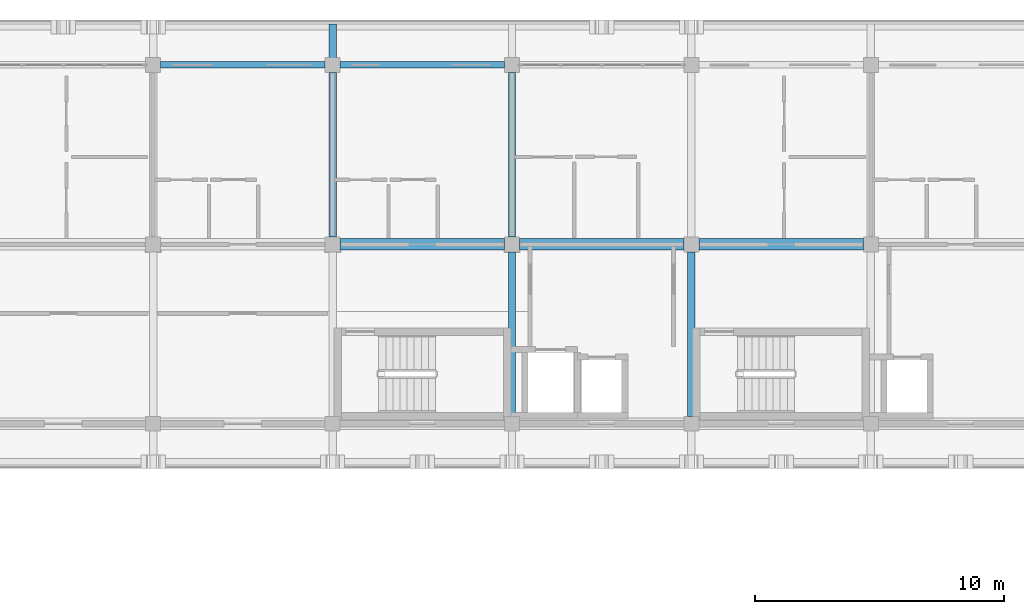
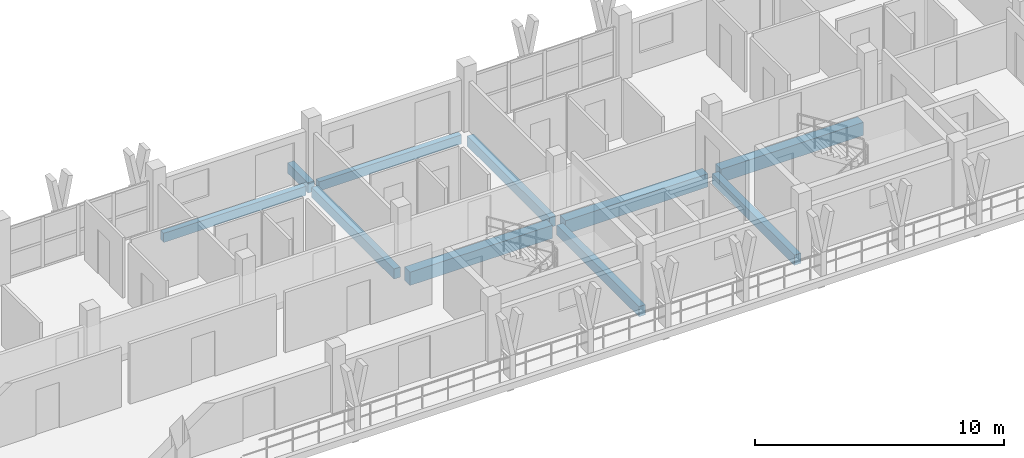
# One storey, part 12 of 65: 10 beams.
"""IFC4 building model written with IfcOpenShell, lengths in metres."""

from ifc_helpers import new_model, si_unit, direction, frame, origin, origin_2d, place, context, subcontext, project, spatial, rectangle, extrude, material, material_profile, profile_set, type_object, element, save


model = new_model("IFC4")

# Units and contexts
model_context = context("Model", 3, precision=1e-05, world=origin(), true_north=direction((0.0, 1.0)))
body_context = subcontext(model_context, "Body", "Model", "MODEL_VIEW")
ifc_project = project(units=[si_unit("LENGTHUNIT", "METRE"), si_unit("AREAUNIT", "SQUARE_METRE"), si_unit("VOLUMEUNIT", "CUBIC_METRE"), si_unit("PLANEANGLEUNIT", "RADIAN"), si_unit("MASSUNIT", "GRAM", prefix="KILO")], contexts=[model_context])

# Site, building, storey
site_placement = place(None, origin())
site = spatial("IfcSite", under=ifc_project, at=site_placement, CompositionType="ELEMENT")
building_placement = place(site_placement, origin())
building = spatial("IfcBuilding", under=site, at=building_placement, Name="Suanplinth Sawtooth Commons", CompositionType="ELEMENT")
storey_placement = place(building_placement, frame((0.0, 0.0, 28.300048828125)))
storey = spatial("IfcBuildingStorey", under=building, at=storey_placement, Name="L08", CompositionType="ELEMENT", Elevation=28.300048828125)

# Beams
ifc_material = material(Name="Precast concrete C40/50", Category="concrete")
ifc_material_profile_1 = material_profile(ifc_material, rectangle(XDim=0.449951171875, YDim=0.64990234375, at=origin_2d()), Name="PC-GDR 450x650")
ifc_profile_set_1 = profile_set([ifc_material_profile_1], Name="Precast concrete C40/50")
beam_type_1 = type_object("IfcBeamType", Name="B-04", PredefinedType="USERDEFINED", material=ifc_profile_set_1)
for number, where, z_axis, x_axis, name in (
    (1, (43.5, 115.199951171875, -0.53515625), (1.0, 0.0, 0.0), (0.0, 1.0, 0.0), "BMX-L08-A-6-16"),
    (2, (50.699951171875, 115.199951171875, -0.53515625), (1.0, 0.0, 0.0), (0.0, 1.0, 0.0), "BMX-L08-A-7-16"),
    (3, (57.89990234375, 115.199951171875, -0.53515625), (1.0, 0.0, 0.0), (0.0, 1.0, 0.0), "BMX-L08-A-8-16"),
):
    element("IfcBeam", number, at=place(storey_placement, frame(where, z_axis=z_axis, x_axis=x_axis)), inside=storey, type_object=beam_type_1, Name=name, ObjectType="GIRDER", PredefinedType="USERDEFINED", context=body_context, shape_type="SweptSolid", body=[
        extrude(rectangle(XDim=0.449951171875, YDim=0.64990234375, at=origin_2d()), origin(), (0.0, 0.0, 1.0), 6.60009765625),
    ])
ifc_material_profile_2 = material_profile(ifc_material, rectangle(XDim=0.300048828125, YDim=0.5, at=origin_2d()), Name="PC-BM 300x500")
ifc_profile_set_2 = profile_set([ifc_material_profile_2], Name="Precast concrete C40/50")
beam_type_2 = type_object("IfcBeamType", Name="B-07", PredefinedType="BEAM", material=ifc_profile_set_2)
beam_1_placement = place(storey_placement, frame((43.199951171875, 115.5, -0.4599609375), z_axis=(0.0, 1.0, 0.0), x_axis=(-1.0, 0.0, 0.0)))
element("IfcBeam", 4, at=beam_1_placement, inside=storey, type_object=beam_type_2, Name="BMY-L08-A-6-16", PredefinedType="BEAM", context=body_context, shape_type="SweptSolid", body=[
    extrude(rectangle(XDim=0.300048828125, YDim=0.5, at=origin_2d()), origin(), (0.0, 0.0, 1.0), 6.60009765625),
])
beam_2_placement = place(storey_placement, frame((50.39990234375, 108.300048828125, -0.4599609375), z_axis=(0.0, 1.0, 0.0), x_axis=(-1.0, 0.0, 0.0)))
element("IfcBeam", 5, at=beam_2_placement, inside=storey, type_object=beam_type_2, Name="BMY-L08-A-7-15", PredefinedType="BEAM", context=body_context, shape_type="SweptSolid", body=[
    extrude(rectangle(XDim=0.300048828125, YDim=0.5, at=origin_2d()), origin(), (0.0, 0.0, 1.0), 6.599853515625),
])
beam_3_placement = place(storey_placement, frame((50.39990234375, 115.5, -0.4599609375), z_axis=(0.0, 1.0, 0.0), x_axis=(-1.0, 0.0, 0.0)))
element("IfcBeam", 6, at=beam_3_placement, inside=storey, type_object=beam_type_2, Name="BMY-L08-A-7-16", PredefinedType="BEAM", context=body_context, shape_type="SweptSolid", body=[
    extrude(rectangle(XDim=0.300048828125, YDim=0.5, at=origin_2d()), origin(), (0.0, 0.0, 1.0), 6.60009765625),
])
beam_4_placement = place(storey_placement, frame((57.60009765625, 108.300048828125, -0.4599609375), z_axis=(0.0, 1.0, 0.0), x_axis=(-1.0, 0.0, 0.0)))
element("IfcBeam", 7, at=beam_4_placement, inside=storey, type_object=beam_type_2, Name="BMY-L08-A-8-15", PredefinedType="BEAM", context=body_context, shape_type="SweptSolid", body=[
    extrude(rectangle(XDim=0.300048828125, YDim=0.5, at=origin_2d()), origin(), (0.0, 0.0, 1.0), 6.599853515625),
])
beam_5_placement = place(storey_placement, frame((43.199951171875, 122.39990234375, -0.429931640625), z_axis=(0.0, 1.0, 0.0), x_axis=(-1.0, 0.0, 0.0)))
element("IfcBeam", 8, at=beam_5_placement, inside=storey, type_object=beam_type_2, Name="Balcony Outrigger L08-A-N-6", PredefinedType="BEAM", context=body_context, shape_type="SweptSolid", body=[
    extrude(rectangle(XDim=0.300048828125, YDim=0.5, at=origin_2d()), origin(), (0.0, 0.0, 1.0), 1.64013671875),
])
ifc_material_profile_3 = material_profile(ifc_material, rectangle(XDim=0.25, YDim=0.449951171875, at=origin_2d()), Name="PC-SP 250x450")
ifc_profile_set_3 = profile_set([ifc_material_profile_3], Name="Precast concrete C40/50")
beam_type_3 = type_object("IfcBeamType", Name="B-09", PredefinedType="SPANDREL", material=ifc_profile_set_3)
beam_6_placement = place(storey_placement, frame((36.300048828125, 122.39990234375, -0.43505859375), z_axis=(1.0, 0.0, 0.0), x_axis=(0.0, 1.0, 0.0)))
element("IfcBeam", 9, at=beam_6_placement, inside=storey, type_object=beam_type_3, Name="BMX-L08-A-5-17", PredefinedType="SPANDREL", context=body_context, shape_type="SweptSolid", body=[
    extrude(rectangle(XDim=0.25, YDim=0.449951171875, at=origin_2d()), origin(), (0.0, 0.0, 1.0), 6.599853515625),
])
beam_7_placement = place(storey_placement, frame((43.5, 122.39990234375, -0.43505859375), z_axis=(1.0, 0.0, 0.0), x_axis=(0.0, 1.0, 0.0)))
element("IfcBeam", 10, at=beam_7_placement, inside=storey, type_object=beam_type_3, Name="BMX-L08-A-6-17", PredefinedType="SPANDREL", context=body_context, shape_type="SweptSolid", body=[
    extrude(rectangle(XDim=0.25, YDim=0.449951171875, at=origin_2d()), origin(), (0.0, 0.0, 1.0), 6.60009765625),
])

save(model, "model.ifc")
